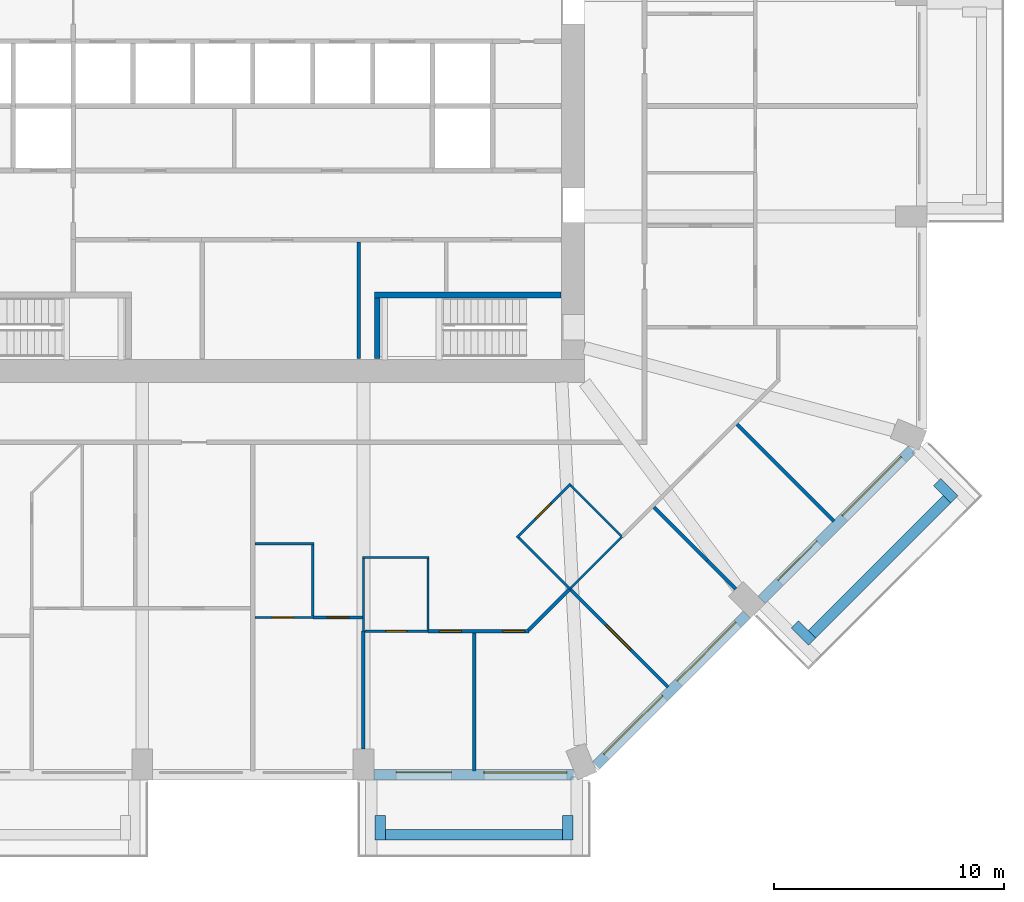
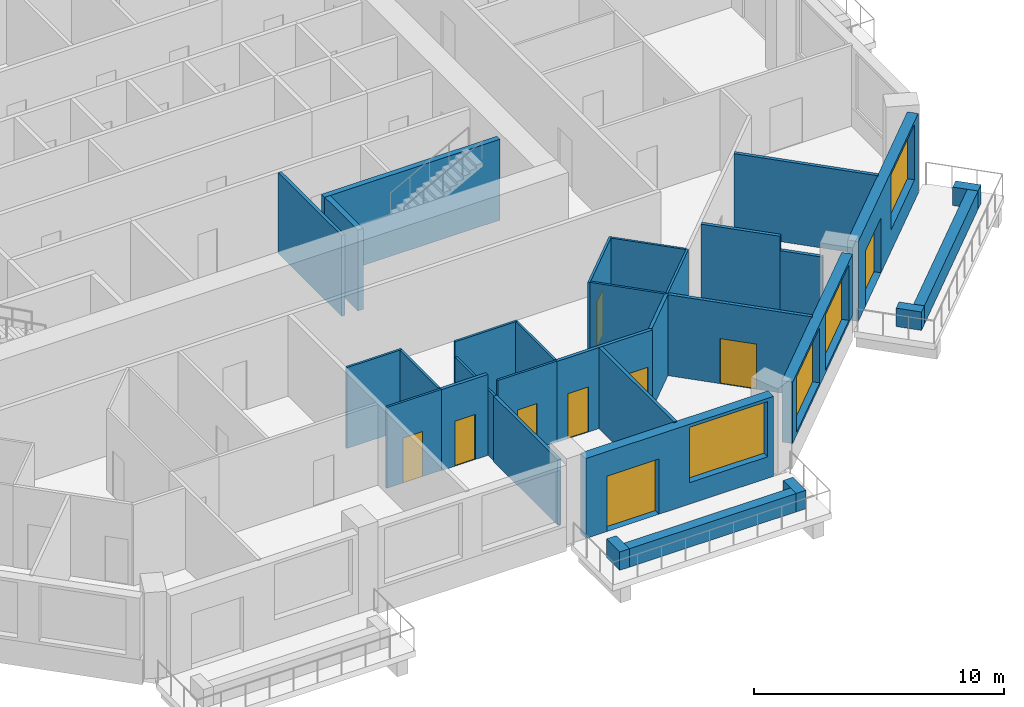
# One storey, part 5 of 13: 32 walls, 9 doors, 4 windows, 13 openings.
"""IFC4 building model written with IfcOpenShell, lengths in metres."""

from ifc_helpers import new_model, si_unit, direction, frame, frame_2d, origin, place, context, subcontext, project, spatial, rectangle, extrude, material, layer, layer_set, type_object, element, fill, save


model = new_model("IFC4")

# Units and contexts
model_context = context("Model", 3, precision=1e-05, world=origin(), true_north=direction((0.0, 1.0)))
body_context = subcontext(model_context, "Body", "Model", "MODEL_VIEW")
ifc_project = project(units=[si_unit("LENGTHUNIT", "METRE"), si_unit("AREAUNIT", "SQUARE_METRE"), si_unit("VOLUMEUNIT", "CUBIC_METRE"), si_unit("PLANEANGLEUNIT", "RADIAN"), si_unit("MASSUNIT", "GRAM", prefix="KILO")], contexts=[model_context])

# Site, building, storey
site_placement = place(None, origin())
site = spatial("IfcSite", under=ifc_project, at=site_placement, CompositionType="ELEMENT")
building_placement = place(site_placement, origin())
building = spatial("IfcBuilding", under=site, at=building_placement, Name="Msitu Wima Residences", CompositionType="ELEMENT")
storey_placement = place(building_placement, frame((0.0, 0.0, 42.300048828125)))
storey = spatial("IfcBuildingStorey", under=building, at=storey_placement, Name="L09", CompositionType="ELEMENT", Elevation=42.300048828125)

# Walls
ifc_material_1 = material(Name="Facing brick")
ifc_layer_1 = layer(ifc_material_1, 0.06494140625, Name="Facing brick")
ifc_material_2 = material(Name="Concrete C40/50", Category="concrete")
ifc_layer_2 = layer(ifc_material_2, 0.156005859375, Name="Concrete C40/50")
ifc_material_3 = material(Name="Waterproofing membrane")
ifc_layer_3 = layer(ifc_material_3, 0.00390625, Name="Waterproofing membrane")
ifc_material_4 = material(Name="Planting soil and planting")
ifc_layer_4 = layer(ifc_material_4, 0.22509765625, Name="Planting soil and planting")
ifc_layer_set_1 = layer_set([ifc_layer_1, ifc_layer_2, ifc_layer_3, ifc_layer_4], Name="Concrete C40/50")
wall_type_1 = type_object("IfcWallType", Name="Balcony planter PLANTER PL450", PredefinedType="USERDEFINED", material=ifc_layer_set_1)
wall_1_placement = place(storey_placement, frame((5.75, -31.625, 0.0), z_axis=(0.0, 0.0, 1.0), x_axis=(1.0, 0.0, 0.0)))
element("IfcWall", 1, at=wall_1_placement, inside=storey, type_object=wall_type_1, Name="Balcony planter S2 L09", ObjectType="PLANTER", PredefinedType="USERDEFINED", context=body_context, shape_type="SweptSolid", body=[
    extrude(rectangle(XDim=7.699951171875, YDim=0.449951171875, at=frame_2d((3.85009765625, 0.0))), origin(), (0.0, 0.0, 1.0), 0.89990234375),
])
for number, where, z_axis, x_axis, name in (
    (2, (5.52490234375, -30.800048828125, 0.0), (0.0, 0.0, 1.0), (0.0, -1.0, 0.0), "Balcony planter S2 L09"),
    (3, (13.675048828125, -30.800048828125, 0.0), (0.0, 0.0, 1.0), (0.0, -1.0, 0.0), "Balcony planter S2 L09"),
):
    element("IfcWall", number, at=place(storey_placement, frame(where, z_axis=z_axis, x_axis=x_axis)), inside=storey, type_object=wall_type_1, Name=name, ObjectType="PLANTER", PredefinedType="USERDEFINED", context=body_context, shape_type="SweptSolid", body=[
        extrude(rectangle(XDim=1.050048828125, YDim=0.449951171875, at=frame_2d((0.52490234375, 0.0))), origin(), (0.0, 0.0, 1.0), 0.89990234375),
    ])
wall_2_placement = place(storey_placement, frame((24.269287109375, -22.92578125, 0.0), z_axis=(0.0, 0.0, 1.0), x_axis=(0.707106781187, 0.707106781187, 0.0)))
element("IfcWall", 4, at=wall_2_placement, inside=storey, type_object=wall_type_1, Name="Balcony planter SE1 L09", ObjectType="PLANTER", PredefinedType="USERDEFINED", context=body_context, shape_type="SweptSolid", body=[
    extrude(rectangle(XDim=8.2822265625, YDim=0.449951171875, at=frame_2d((4.14111328125, 0.0))), origin(), (0.0, 0.0, 1.0), 0.89990234375),
])
for number, where, z_axis, x_axis, name in (
    (5, (23.52685546875, -22.50146484375, 0.0), (0.0, 0.0, 1.0), (0.706990528533, -0.707223014731, 0.0), "Balcony planter SE1 L09"),
    (6, (29.70166015625, -16.326904296875, 0.0), (0.0, 0.0, 1.0), (0.707106781187, -0.707106781187, 0.0), "Balcony planter SE1 L09"),
):
    element("IfcWall", number, at=place(storey_placement, frame(where, z_axis=z_axis, x_axis=x_axis)), inside=storey, type_object=wall_type_1, Name=name, ObjectType="PLANTER", PredefinedType="USERDEFINED", context=body_context, shape_type="SweptSolid", body=[
        extrude(rectangle(XDim=1.050048828125, YDim=0.449951171875, at=frame_2d((0.52490234375, 0.0))), origin(), (0.0, 0.0, 1.0), 0.89990234375),
    ])

# Wall, openings, door, window
ifc_material_5 = material(Name="Brick (red buff mix)", Category="masonry")
ifc_layer_5 = layer(ifc_material_5, 0.449951171875)
ifc_layer_set_2 = layer_set([ifc_layer_5], Name="Brick (red buff mix)")
wall_type_2 = type_object("IfcWallType", Name="Brick infill wall BW450", PredefinedType="SOLIDWALL", material=ifc_layer_set_2)
wall_3_placement = place(storey_placement, frame((5.25, -29.02490234375, 0.0), z_axis=(0.0, 0.0, 1.0), x_axis=(1.0, 0.0, 0.0)))
wall_3 = element("IfcWall", 7, at=wall_3_placement, inside=storey, type_object=wall_type_2, Name="Brick infill wall L09 S2", PredefinedType="SOLIDWALL", context=body_context, shape_type="SweptSolid", body=[
    extrude(rectangle(XDim=8.662841796875, YDim=0.449951171875, at=frame_2d((4.33154296875, 0.0))), origin(), (0.0, 0.0, 1.0), 3.89990234375),
])
opening_1_placement = place(wall_3_placement, frame((0.9658203125, 0.0, 0.0)))
opening_1 = element("IfcOpeningElement", 8, at=opening_1_placement, cuts=wall_3, Name="Opening D08-10.007", PredefinedType="OPENING", context=body_context, shape_type="SweptSolid", body=[
    extrude(rectangle(XDim=2.39990234375, YDim=2.699951171875, at=frame_2d((1.199951171875, 1.35009765625))), frame((0.0, 0.23486328125, 0.0), z_axis=(0.0, -1.0, 0.0), x_axis=(1.0, 0.0, 0.0)), (0.0, 0.0, 1.0), 0.469970703125),
])
opening_2_placement = place(wall_3_placement, frame((4.781494140625, 0.0, 1.050048828125)))
opening_2 = element("IfcOpeningElement", 9, at=opening_2_placement, cuts=wall_3, Name="Opening W08-10.019", PredefinedType="OPENING", context=body_context, shape_type="SweptSolid", body=[
    extrude(rectangle(XDim=3.60009765625, YDim=2.699951171875, at=frame_2d((1.800048828125, 1.35009765625))), frame((0.0, 0.23486328125, 0.0), z_axis=(0.0, -1.0, 0.0), x_axis=(1.0, 0.0, 0.0)), (0.0, 0.0, 1.0), 0.469970703125),
])
ifc_material_6 = material(Name="Anodised aluminium, bronze finish, clear low-emissivity double glazing", Category="aluminium")
door_type_1 = type_object("IfcDoorType", Name="Balcony door D2400x2700", OperationType="SLIDING_TO_LEFT", PredefinedType="DOOR", material=ifc_material_6)
door_1_placement = place(opening_1_placement, origin())
door_1 = element("IfcDoor", 10, at=door_1_placement, inside=storey, type_object=door_type_1, Name="Balcony door L09 S2", OperationType="SINGLE_SWING_LEFT", OverallHeight=2.699951171875, OverallWidth=2.39990234375, PredefinedType="DOOR", context=body_context, shape_type="SweptSolid", body=[
    extrude(rectangle(XDim=2.39990234375, YDim=2.699951171875, at=frame_2d((1.199951171875, 1.35009765625))), frame((0.0, 0.1298828125, 0.0), z_axis=(0.0, -1.0, 0.0), x_axis=(1.0, 0.0, 0.0)), (0.0, 0.0, 1.0), 0.050048828125),
])
fill(opening_1, door_1)
window_type = type_object("IfcWindowType", Name="Window W3600x2700", PartitioningType="DOUBLE_PANEL_VERTICAL", PredefinedType="WINDOW", material=ifc_material_6)
window_1_placement = place(opening_2_placement, origin())
window_1 = element("IfcWindow", 11, at=window_1_placement, inside=storey, type_object=window_type, Name="Window L09 S2.2", OverallHeight=2.699951171875, OverallWidth=3.60009765625, PartitioningType="SINGLE_PANEL", PredefinedType="WINDOW", context=body_context, shape_type="SweptSolid", body=[
    extrude(rectangle(XDim=3.60009765625, YDim=2.699951171875, at=frame_2d((1.800048828125, 1.35009765625))), frame((0.0, 0.135009765625, 0.0), z_axis=(0.0, -1.0, 0.0), x_axis=(1.0, 0.0, 0.0)), (0.0, 0.0, 1.0), 0.06005859375),
])
fill(opening_2, window_1)

# Wall, openings, windows
wall_4_placement = place(storey_placement, frame((14.903564453125, -28.61474609375, 0.89990234375), z_axis=(0.0, 0.0, 1.0), x_axis=(0.707106781187, 0.707106781187, 0.0)))
wall_4 = element("IfcWall", 12, at=wall_4_placement, inside=storey, type_object=wall_type_2, Name="Brick infill wall L09 SE0", PredefinedType="SOLIDWALL", context=body_context, shape_type="SweptSolid", body=[
    extrude(rectangle(XDim=9.2451171875, YDim=0.449951171875, at=frame_2d((4.62255859375, 0.0))), origin(), (0.0, 0.0, 1.0), 3.0),
])
opening_3_placement = place(wall_4_placement, frame((0.572509765625, 0.0, 0.14990234375)))
opening_3 = element("IfcOpeningElement", 13, at=opening_3_placement, cuts=wall_4, Name="Opening W08-10.020", PredefinedType="OPENING", context=body_context, shape_type="SweptSolid", body=[
    extrude(rectangle(XDim=3.60009765625, YDim=2.699951171875, at=frame_2d((1.800048828125, 1.35009765625))), frame((0.0, 0.23486328125, 0.0), z_axis=(0.0, -1.0, 0.0), x_axis=(1.0, 0.0, 0.0)), (0.0, 0.0, 1.0), 0.469970703125),
])
opening_4_placement = place(wall_4_placement, frame((5.072509765625, 0.0, 0.14990234375)))
opening_4 = element("IfcOpeningElement", 14, at=opening_4_placement, cuts=wall_4, Name="Opening W08-10.021", PredefinedType="OPENING", context=body_context, shape_type="SweptSolid", body=[
    extrude(rectangle(XDim=3.60009765625, YDim=2.699951171875, at=frame_2d((1.800048828125, 1.35009765625))), frame((0.0, 0.23486328125, 0.0), z_axis=(0.0, -1.0, 0.0), x_axis=(1.0, 0.0, 0.0)), (0.0, 0.0, 1.0), 0.469970703125),
])
window_2_placement = place(opening_3_placement, origin())
window_2 = element("IfcWindow", 15, at=window_2_placement, inside=storey, type_object=window_type, Name="Window L09 SE0.1", OverallHeight=2.699951171875, OverallWidth=3.60009765625, PartitioningType="SINGLE_PANEL", PredefinedType="WINDOW", context=body_context, shape_type="SweptSolid", body=[
    extrude(rectangle(XDim=3.60009765625, YDim=2.699951171875, at=frame_2d((1.800048828125, 1.35009765625))), frame((0.0, 0.135009765625, 0.0), z_axis=(0.0, -1.0, 0.0), x_axis=(1.0, 0.0, 0.0)), (0.0, 0.0, 1.0), 0.06005859375),
])
fill(opening_3, window_2)
window_3_placement = place(opening_4_placement, origin())
window_3 = element("IfcWindow", 16, at=window_3_placement, inside=storey, type_object=window_type, Name="Window L09 SE0.2", OverallHeight=2.699951171875, OverallWidth=3.60009765625, PartitioningType="SINGLE_PANEL", PredefinedType="WINDOW", context=body_context, shape_type="SweptSolid", body=[
    extrude(rectangle(XDim=3.60009765625, YDim=2.699951171875, at=frame_2d((1.800048828125, 1.35009765625))), frame((0.0, 0.135009765625, 0.0), z_axis=(0.0, -1.0, 0.0), x_axis=(1.0, 0.0, 0.0)), (0.0, 0.0, 1.0), 0.06005859375),
])
fill(opening_4, window_3)

# Wall, openings, door, window
wall_5_placement = place(storey_placement, frame((22.077392578125, -21.44091796875, 0.0), z_axis=(0.0, 0.0, 1.0), x_axis=(0.707106781187, 0.707106781187, 0.0)))
wall_5 = element("IfcWall", 17, at=wall_5_placement, inside=storey, type_object=wall_type_2, Name="Brick infill wall L09 SE1", PredefinedType="SOLIDWALL", context=body_context, shape_type="SweptSolid", body=[
    extrude(rectangle(XDim=9.2451171875, YDim=0.449951171875, at=frame_2d((4.62255859375, 0.0))), origin(), (0.0, 0.0, 1.0), 3.89990234375),
])
opening_5_placement = place(wall_5_placement, frame((1.111328125, 0.0, 0.0)))
opening_5 = element("IfcOpeningElement", 18, at=opening_5_placement, cuts=wall_5, Name="Opening D08-10.008", PredefinedType="OPENING", context=body_context, shape_type="SweptSolid", body=[
    extrude(rectangle(XDim=2.39990234375, YDim=2.699951171875, at=frame_2d((1.199951171875, 1.35009765625))), frame((0.0, 0.23486328125, 0.0), z_axis=(0.0, -1.0, 0.0), x_axis=(1.0, 0.0, 0.0)), (0.0, 0.0, 1.0), 0.469970703125),
])
opening_6_placement = place(wall_5_placement, frame((5.072509765625, 0.0, 1.050048828125)))
opening_6 = element("IfcOpeningElement", 19, at=opening_6_placement, cuts=wall_5, Name="Opening W08-10.022", PredefinedType="OPENING", context=body_context, shape_type="SweptSolid", body=[
    extrude(rectangle(XDim=3.60009765625, YDim=2.699951171875, at=frame_2d((1.800048828125, 1.35009765625))), frame((0.0, 0.23486328125, 0.0), z_axis=(0.0, -1.0, 0.0), x_axis=(1.0, 0.0, 0.0)), (0.0, 0.0, 1.0), 0.469970703125),
])
door_2_placement = place(opening_5_placement, origin())
door_2 = element("IfcDoor", 20, at=door_2_placement, inside=storey, type_object=door_type_1, Name="Balcony door L09 SE1", OperationType="SINGLE_SWING_LEFT", OverallHeight=2.699951171875, OverallWidth=2.39990234375, PredefinedType="DOOR", context=body_context, shape_type="SweptSolid", body=[
    extrude(rectangle(XDim=2.39990234375, YDim=2.699951171875, at=frame_2d((1.199951171875, 1.35009765625))), frame((0.0, 0.1298828125, 0.0), z_axis=(0.0, -1.0, 0.0), x_axis=(1.0, 0.0, 0.0)), (0.0, 0.0, 1.0), 0.050048828125),
])
fill(opening_5, door_2)
window_4_placement = place(opening_6_placement, origin())
window_4 = element("IfcWindow", 21, at=window_4_placement, inside=storey, type_object=window_type, Name="Window L09 SE1.2", OverallHeight=2.699951171875, OverallWidth=3.60009765625, PartitioningType="SINGLE_PANEL", PredefinedType="WINDOW", context=body_context, shape_type="SweptSolid", body=[
    extrude(rectangle(XDim=3.60009765625, YDim=2.699951171875, at=frame_2d((1.800048828125, 1.35009765625))), frame((0.0, 0.135009765625, 0.0), z_axis=(0.0, -1.0, 0.0), x_axis=(1.0, 0.0, 0.0)), (0.0, 0.0, 1.0), 0.06005859375),
])
fill(opening_6, window_4)

# Wall, opening, door
ifc_material_7 = material(Name="Plaster")
ifc_layer_6 = layer(ifc_material_7, 0.011962890625, Name="Plaster")
ifc_material_8 = material(Name="Concrete blockwork", Category="masonry")
ifc_layer_7 = layer(ifc_material_8, 0.1259765625, Name="Concrete blockwork")
ifc_layer_8 = layer(ifc_material_7, 0.011962890625, Name="Plaster")
ifc_layer_set_3 = layer_set([ifc_layer_6, ifc_layer_7, ifc_layer_8], Name="Concrete blockwork")
wall_type_3 = type_object("IfcWallType", Name="Partition PW150", PredefinedType="PARTITIONING", material=ifc_layer_set_3)
wall_6_placement = place(storey_placement, frame((2.6201171875, -22.199951171875, 0.0), z_axis=(0.0, 0.0, 1.0), x_axis=(1.0, 0.0, 0.0)))
wall_6 = element("IfcWall", 22, at=wall_6_placement, inside=storey, type_object=wall_type_3, Name="Partition", PredefinedType="PARTITIONING", context=body_context, shape_type="SweptSolid", body=[
    extrude(rectangle(XDim=2.1298828125, YDim=0.14990234375, at=frame_2d((1.06494140625, 0.0))), origin(), (0.0, 0.0, 1.0), 3.949951171875),
])
opening_7_placement = place(wall_6_placement, frame((0.60009765625, 0.0, 0.0)))
opening_7 = element("IfcOpeningElement", 23, at=opening_7_placement, cuts=wall_6, Name="Opening D08-10.078", PredefinedType="OPENING", context=body_context, shape_type="SweptSolid", body=[
    extrude(rectangle(XDim=0.949951171875, YDim=2.199951171875, at=frame_2d((0.47509765625, 1.10009765625))), frame((0.0, 0.0849609375, 0.0), z_axis=(0.0, -1.0, 0.0), x_axis=(1.0, 0.0, 0.0)), (0.0, 0.0, 1.0), 0.169921875),
])
ifc_material_9 = material(Name="Timber flush door", Category="wood")
door_type_2 = type_object("IfcDoorType", Name="Room door D12 950x2200", OperationType="SINGLE_SWING_LEFT", PredefinedType="DOOR", material=ifc_material_9)
door_3_placement = place(opening_7_placement, origin())
door_3 = element("IfcDoor", 24, at=door_3_placement, inside=storey, type_object=door_type_2, Name="Room door", OperationType="SINGLE_SWING_LEFT", OverallHeight=2.199951171875, OverallWidth=0.949951171875, PredefinedType="DOOR", context=body_context, shape_type="SweptSolid", body=[
    extrude(rectangle(XDim=0.949951171875, YDim=2.199951171875, at=frame_2d((0.47509765625, 1.10009765625))), frame((0.0, 0.02490234375, 0.0), z_axis=(0.0, -1.0, 0.0), x_axis=(1.0, 0.0, 0.0)), (0.0, 0.0, 1.0), 0.050048828125),
])
fill(opening_7, door_3)

# Walls
wall_7_placement = place(storey_placement, frame((4.60009765625, -10.969970703125, 0.0), z_axis=(0.0, 0.0, 1.0), x_axis=(0.0, 1.0, 0.0)))
element("IfcWall", 25, at=wall_7_placement, inside=storey, type_object=wall_type_3, Name="Partition", PredefinedType="PARTITIONING", context=body_context, shape_type="SweptSolid", body=[
    extrude(rectangle(XDim=5.070068359375, YDim=0.14990234375, at=frame_2d((2.53515625, 0.0))), origin(), (0.0, 0.0, 1.0), 3.949951171875),
])
wall_8_placement = place(storey_placement, frame((4.800048828125, -27.89990234375, 0.0), z_axis=(0.0, 0.0, 1.0), x_axis=(0.0, 1.0, 0.0)))
element("IfcWall", 26, at=wall_8_placement, inside=storey, type_object=wall_type_3, Name="Partition", PredefinedType="PARTITIONING", context=body_context, shape_type="SweptSolid", body=[
    extrude(rectangle(XDim=5.119873046875, YDim=0.14990234375, at=frame_2d((2.56005859375, 0.0))), origin(), (0.0, 0.0, 1.0), 3.199951171875),
])

# Wall, openings, doors
wall_9_placement = place(storey_placement, frame((7.60009765625, -22.800048828125, 0.0), z_axis=(0.0, 0.0, 1.0), x_axis=(1.0, 0.0, 0.0)))
wall_9 = element("IfcWall", 27, at=wall_9_placement, inside=storey, type_object=wall_type_3, Name="Partition", PredefinedType="PARTITIONING", context=body_context, shape_type="SweptSolid", body=[
    extrude(rectangle(XDim=4.3896484375, YDim=0.14990234375, at=frame_2d((2.19482421875, 0.0))), origin(), (0.0, 0.0, 1.0), 3.949951171875),
])
opening_8_placement = place(wall_9_placement, frame((0.5, 0.0, 0.0)))
opening_8 = element("IfcOpeningElement", 28, at=opening_8_placement, cuts=wall_9, Name="Opening D08-10.075", PredefinedType="OPENING", context=body_context, shape_type="SweptSolid", body=[
    extrude(rectangle(XDim=0.949951171875, YDim=2.199951171875, at=frame_2d((0.47509765625, 1.10009765625))), frame((0.0, 0.0849609375, 0.0), z_axis=(0.0, -1.0, 0.0), x_axis=(1.0, 0.0, 0.0)), (0.0, 0.0, 1.0), 0.169921875),
])
opening_9_placement = place(wall_9_placement, frame((3.25, 0.0, 0.0)))
opening_9 = element("IfcOpeningElement", 29, at=opening_9_placement, cuts=wall_9, Name="Opening D08-10.081", PredefinedType="OPENING", context=body_context, shape_type="SweptSolid", body=[
    extrude(rectangle(XDim=0.949951171875, YDim=2.199951171875, at=frame_2d((0.47509765625, 1.10009765625))), frame((0.0, 0.0849609375, 0.0), z_axis=(0.0, -1.0, 0.0), x_axis=(1.0, 0.0, 0.0)), (0.0, 0.0, 1.0), 0.169921875),
])
door_4_placement = place(opening_8_placement, origin())
door_4 = element("IfcDoor", 30, at=door_4_placement, inside=storey, type_object=door_type_2, Name="Room door", OperationType="SINGLE_SWING_LEFT", OverallHeight=2.199951171875, OverallWidth=0.949951171875, PredefinedType="DOOR", context=body_context, shape_type="SweptSolid", body=[
    extrude(rectangle(XDim=0.949951171875, YDim=2.199951171875, at=frame_2d((0.47509765625, 1.10009765625))), frame((0.0, 0.02490234375, 0.0), z_axis=(0.0, -1.0, 0.0), x_axis=(1.0, 0.0, 0.0)), (0.0, 0.0, 1.0), 0.050048828125),
])
fill(opening_8, door_4)
door_5_placement = place(opening_9_placement, origin())
door_5 = element("IfcDoor", 31, at=door_5_placement, inside=storey, type_object=door_type_2, Name="Room door", OperationType="SINGLE_SWING_RIGHT", OverallHeight=2.199951171875, OverallWidth=0.949951171875, PredefinedType="DOOR", context=body_context, shape_type="SweptSolid", body=[
    extrude(rectangle(XDim=0.949951171875, YDim=2.199951171875, at=frame_2d((0.47509765625, 1.10009765625))), frame((0.0, 0.02490234375, 0.0), z_axis=(0.0, -1.0, 0.0), x_axis=(1.0, 0.0, 0.0)), (0.0, 0.0, 1.0), 0.050048828125),
])
fill(opening_9, door_5)

# Walls
wall_10_placement = place(storey_placement, frame((9.60009765625, -28.85498046875, 0.0), z_axis=(0.0, 0.0, 1.0), x_axis=(0.0, 1.0, 0.0)))
element("IfcWall", 32, at=wall_10_placement, inside=storey, type_object=wall_type_3, Name="Partition", PredefinedType="PARTITIONING", context=body_context, shape_type="SweptSolid", body=[
    extrude(rectangle(XDim=5.97998046875, YDim=0.14990234375, at=frame_2d((2.989990234375, 0.0))), origin(), (0.0, 0.0, 1.0), 3.949951171875),
])
wall_11_placement = place(storey_placement, frame((11.9677734375, -22.7470703125, 0.0), z_axis=(0.0, 0.0, 1.0), x_axis=(0.707058549081, 0.707155010002, 0.0)))
element("IfcWall", 33, at=wall_11_placement, inside=storey, type_object=wall_type_3, Name="Partition", PredefinedType="PARTITIONING", context=body_context, shape_type="SweptSolid", body=[
    extrude(rectangle(XDim=2.531005859375, YDim=0.14990234375, at=frame_2d((1.265625, 0.0))), origin(), (0.0, 0.0, 1.0), 3.949951171875),
])

# Wall, opening, door
wall_12_placement = place(storey_placement, frame((13.7431640625, -20.943115234375, 0.0), z_axis=(0.0, 0.0, 1.0), x_axis=(0.707086587655, -0.707126974141, 0.0)))
wall_12 = element("IfcWall", 34, at=wall_12_placement, inside=storey, type_object=wall_type_3, Name="Partition", PredefinedType="PARTITIONING", context=body_context, shape_type="SweptSolid", body=[
    extrude(rectangle(XDim=6.045166015625, YDim=0.14990234375, at=frame_2d((3.0224609375, 0.0))), origin(), (0.0, 0.0, 1.0), 3.949951171875),
])
opening_10_placement = place(wall_12_placement, frame((2.25, 0.0, 0.0)))
opening_10 = element("IfcOpeningElement", 35, at=opening_10_placement, cuts=wall_12, Name="Opening D08-10.082", PredefinedType="OPENING", context=body_context, shape_type="SweptSolid", body=[
    extrude(rectangle(XDim=1.5, YDim=2.199951171875, at=frame_2d((0.75, 1.10009765625))), frame((0.0, 0.0849609375, 0.0), z_axis=(0.0, -1.0, 0.0), x_axis=(1.0, 0.0, 0.0)), (0.0, 0.0, 1.0), 0.169921875),
])
ifc_material_10 = material(Name="Timber double door", Category="wood")
door_type_3 = type_object("IfcDoorType", Name="Double door D04 1500x2200", OperationType="DOUBLE_DOOR_SINGLE_SWING", PredefinedType="DOOR", material=ifc_material_10)
door_6_placement = place(opening_10_placement, origin())
door_6 = element("IfcDoor", 36, at=door_6_placement, inside=storey, type_object=door_type_3, Name="Double door", OperationType="DOUBLE_DOOR_SINGLE_SWING", OverallHeight=2.199951171875, OverallWidth=1.5, PredefinedType="DOOR", context=body_context, shape_type="SweptSolid", body=[
    extrude(rectangle(XDim=1.5, YDim=2.199951171875, at=frame_2d((0.75, 1.10009765625))), frame((0.0, 0.02490234375, 0.0), z_axis=(0.0, -1.0, 0.0), x_axis=(1.0, 0.0, 0.0)), (0.0, 0.0, 1.0), 0.050048828125),
])
fill(opening_10, door_6)

# Walls
wall_13_placement = place(storey_placement, frame((17.410400390625, -17.410400390625, 0.0), z_axis=(0.0, 0.0, 1.0), x_axis=(0.707106781187, -0.707106781187, 0.0)))
element("IfcWall", 37, at=wall_13_placement, inside=storey, type_object=wall_type_3, Name="Partition", PredefinedType="PARTITIONING", context=body_context, shape_type="SweptSolid", body=[
    extrude(rectangle(XDim=3.276611328125, YDim=0.14990234375, at=frame_2d((1.63818359375, 0.0))), origin(), (0.0, 0.0, 1.0), 3.949951171875),
])
wall_14_placement = place(storey_placement, frame((19.727294921875, -19.727294921875, 0.0), z_axis=(0.0, 0.0, 1.0), x_axis=(0.707106781187, -0.707106781187, 0.0)))
element("IfcWall", 38, at=wall_14_placement, inside=storey, type_object=wall_type_3, Name="Partition", PredefinedType="PARTITIONING", context=body_context, shape_type="SweptSolid", body=[
    extrude(rectangle(XDim=1.74853515625, YDim=0.14990234375, at=frame_2d((0.874267578125, 0.0))), origin(), (0.0, 0.0, 1.0), 3.25),
])
wall_15_placement = place(storey_placement, frame((21.010498046875, -13.810302734375, 0.0), z_axis=(0.0, 0.0, 1.0), x_axis=(0.707106781187, -0.707106781187, 0.0)))
element("IfcWall", 39, at=wall_15_placement, inside=storey, type_object=wall_type_3, Name="Partition", PredefinedType="PARTITIONING", context=body_context, shape_type="SweptSolid", body=[
    extrude(rectangle(XDim=5.949951171875, YDim=0.14990234375, at=frame_2d((2.97509765625, 0.0))), origin(), (0.0, 0.0, 1.0), 3.949951171875),
])
ifc_material_11 = material(Name="Concrete C50/60", Category="concrete")
ifc_layer_9 = layer(ifc_material_11, 0.25)
ifc_layer_set_4 = layer_set([ifc_layer_9], Name="Concrete C50/60")
wall_type_4 = type_object("IfcWallType", Name="Stair enclosure wall SW250", PredefinedType="SHEAR", material=ifc_layer_set_4)
wall_16_placement = place(storey_placement, frame((5.39990234375, -10.969970703125, 0.0), z_axis=(0.0, 0.0, 1.0), x_axis=(0.0, 1.0, 0.0)))
element("IfcWall", 40, at=wall_16_placement, inside=storey, type_object=wall_type_4, Name="Stair enclosure wall", PredefinedType="SHEAR", context=body_context, shape_type="SweptSolid", body=[
    extrude(rectangle(XDim=2.64501953125, YDim=0.25, at=frame_2d((1.322509765625, 0.0))), origin(), (0.0, 0.0, 1.0), 3.949951171875),
])
wall_17_placement = place(storey_placement, frame((5.27490234375, -8.199951171875, 0.0), z_axis=(0.0, 0.0, 1.0), x_axis=(1.0, 0.0, 0.0)))
element("IfcWall", 41, at=wall_17_placement, inside=storey, type_object=wall_type_4, Name="Stair enclosure wall", PredefinedType="SHEAR", context=body_context, shape_type="SweptSolid", body=[
    extrude(rectangle(XDim=8.09521484375, YDim=0.25, at=frame_2d((4.047607421875, 0.0))), origin(), (0.0, 0.0, 1.0), 3.949951171875),
])

# Wall, opening, door
ifc_material_12 = material(Name="Ceramic tiles")
ifc_layer_10 = layer(ifc_material_12, 0.008056640625, Name="Ceramic tiles")
ifc_material_13 = material(Name="Moisture-resistant board")
ifc_layer_11 = layer(ifc_material_13, 0.012451171875, Name="Moisture-resistant board")
ifc_material_14 = material(Name="Light-gauge stud framing with mineral wool")
ifc_layer_12 = layer(ifc_material_14, 0.06689453125, Name="Light-gauge stud framing with mineral wool")
ifc_layer_13 = layer(ifc_material_13, 0.012451171875, Name="Moisture-resistant board")
ifc_layer_set_5 = layer_set([ifc_layer_10, ifc_layer_11, ifc_layer_12, ifc_layer_13], Name="Light-gauge stud framing with mineral wool")
wall_type_5 = type_object("IfcWallType", Name="Wet wall PW100", PredefinedType="PARTITIONING", material=ifc_layer_set_5)
wall_18_placement = place(storey_placement, frame((0.10009765625, -22.199951171875, 0.0), z_axis=(0.0, 0.0, 1.0), x_axis=(1.0, 0.0, 0.0)))
wall_18 = element("IfcWall", 42, at=wall_18_placement, inside=storey, type_object=wall_type_5, Name="Wet wall", PredefinedType="PARTITIONING", context=body_context, shape_type="SweptSolid", body=[
    extrude(rectangle(XDim=2.52001953125, YDim=0.10009765625, at=frame_2d((1.260009765625, 0.0))), origin(), (0.0, 0.0, 1.0), 3.949951171875),
])
opening_11_placement = place(wall_18_placement, frame((0.75, 0.0, 0.0)))
opening_11 = element("IfcOpeningElement", 43, at=opening_11_placement, cuts=wall_18, Name="Opening D08-10.079", PredefinedType="OPENING", context=body_context, shape_type="SweptSolid", body=[
    extrude(rectangle(XDim=0.89990234375, YDim=2.199951171875, at=frame_2d((0.449951171875, 1.10009765625))), frame((0.0, 0.06005859375, 0.0), z_axis=(0.0, -1.0, 0.0), x_axis=(1.0, 0.0, 0.0)), (0.0, 0.0, 1.0), 0.1201171875),
])
ifc_material_15 = material(Name="Timber flush door, moisture resistant", Category="wood")
door_type_4 = type_object("IfcDoorType", Name="Bathroom door D03 900x2200", OperationType="SINGLE_SWING_LEFT", PredefinedType="DOOR", material=ifc_material_15)
door_7_placement = place(opening_11_placement, origin())
door_7 = element("IfcDoor", 44, at=door_7_placement, inside=storey, type_object=door_type_4, Name="Bathroom door", OperationType="SINGLE_SWING_LEFT", OverallHeight=2.199951171875, OverallWidth=0.89990234375, PredefinedType="DOOR", context=body_context, shape_type="SweptSolid", body=[
    extrude(rectangle(XDim=0.89990234375, YDim=2.199951171875, at=frame_2d((0.449951171875, 1.10009765625))), frame((0.0, 0.02490234375, 0.0), z_axis=(0.0, -1.0, 0.0), x_axis=(1.0, 0.0, 0.0)), (0.0, 0.0, 1.0), 0.050048828125),
])
fill(opening_11, door_7)

# Walls
wall_19_placement = place(storey_placement, frame((0.10009765625, -19.0, 0.0), z_axis=(0.0, 0.0, 1.0), x_axis=(1.0, 0.0, 0.0)))
element("IfcWall", 45, at=wall_19_placement, inside=storey, type_object=wall_type_5, Name="Wet wall", PredefinedType="PARTITIONING", context=body_context, shape_type="SweptSolid", body=[
    extrude(rectangle(XDim=2.5498046875, YDim=0.10009765625, at=frame_2d((1.27490234375, 0.0))), origin(), (0.0, 0.0, 1.0), 3.949951171875),
])
wall_20_placement = place(storey_placement, frame((2.60009765625, -22.125, 0.0), z_axis=(0.0, 0.0, 1.0), x_axis=(0.0, 1.0, 0.0)))
element("IfcWall", 46, at=wall_20_placement, inside=storey, type_object=wall_type_5, Name="Wet wall", PredefinedType="PARTITIONING", context=body_context, shape_type="SweptSolid", body=[
    extrude(rectangle(XDim=3.074951171875, YDim=0.10009765625, at=frame_2d((1.53759765625, 0.0))), origin(), (0.0, 0.0, 1.0), 3.949951171875),
])
wall_21_placement = place(storey_placement, frame((4.800048828125, -22.780029296875, 0.0), z_axis=(0.0, 0.0, 1.0), x_axis=(0.0, 1.0, 0.0)))
element("IfcWall", 47, at=wall_21_placement, inside=storey, type_object=wall_type_5, Name="Wet wall", PredefinedType="PARTITIONING", context=body_context, shape_type="SweptSolid", body=[
    extrude(rectangle(XDim=3.130126953125, YDim=0.10009765625, at=frame_2d((1.56494140625, 0.0))), origin(), (0.0, 0.0, 1.0), 3.199951171875),
])

# Wall, opening, door
wall_22_placement = place(storey_placement, frame((4.875, -22.800048828125, 0.0), z_axis=(0.0, 0.0, 1.0), x_axis=(1.0, 0.0, 0.0)))
wall_22 = element("IfcWall", 48, at=wall_22_placement, inside=storey, type_object=wall_type_5, Name="Wet wall", PredefinedType="PARTITIONING", context=body_context, shape_type="SweptSolid", body=[
    extrude(rectangle(XDim=2.72509765625, YDim=0.10009765625, at=frame_2d((1.362548828125, 0.0))), origin(), (0.0, 0.0, 1.0), 3.949951171875),
])
opening_12_placement = place(wall_22_placement, frame((0.89990234375, 0.0, 0.0)))
opening_12 = element("IfcOpeningElement", 49, at=opening_12_placement, cuts=wall_22, Name="Opening D08-10.076", PredefinedType="OPENING", context=body_context, shape_type="SweptSolid", body=[
    extrude(rectangle(XDim=0.89990234375, YDim=2.199951171875, at=frame_2d((0.449951171875, 1.10009765625))), frame((0.0, 0.06005859375, 0.0), z_axis=(0.0, -1.0, 0.0), x_axis=(1.0, 0.0, 0.0)), (0.0, 0.0, 1.0), 0.1201171875),
])
door_8_placement = place(opening_12_placement, origin())
door_8 = element("IfcDoor", 50, at=door_8_placement, inside=storey, type_object=door_type_4, Name="Bathroom door", OperationType="SINGLE_SWING_RIGHT", OverallHeight=2.199951171875, OverallWidth=0.89990234375, PredefinedType="DOOR", context=body_context, shape_type="SweptSolid", body=[
    extrude(rectangle(XDim=0.89990234375, YDim=2.199951171875, at=frame_2d((0.449951171875, 1.10009765625))), frame((0.0, 0.02490234375, 0.0), z_axis=(0.0, -1.0, 0.0), x_axis=(1.0, 0.0, 0.0)), (0.0, 0.0, 1.0), 0.050048828125),
])
fill(opening_12, door_8)

# Walls
wall_23_placement = place(storey_placement, frame((4.75, -19.60009765625, 0.0), z_axis=(0.0, 0.0, 1.0), x_axis=(1.0, 0.0, 0.0)))
element("IfcWall", 51, at=wall_23_placement, inside=storey, type_object=wall_type_5, Name="Wet wall", PredefinedType="PARTITIONING", context=body_context, shape_type="SweptSolid", body=[
    extrude(rectangle(XDim=2.89990234375, YDim=0.10009765625, at=frame_2d((1.449951171875, 0.0))), origin(), (0.0, 0.0, 1.0), 3.949951171875),
])
wall_24_placement = place(storey_placement, frame((7.60009765625, -22.72509765625, 0.0), z_axis=(0.0, 0.0, 1.0), x_axis=(0.0, 1.0, 0.0)))
element("IfcWall", 52, at=wall_24_placement, inside=storey, type_object=wall_type_5, Name="Wet wall", PredefinedType="PARTITIONING", context=body_context, shape_type="SweptSolid", body=[
    extrude(rectangle(XDim=3.0751953125, YDim=0.10009765625, at=frame_2d((1.53759765625, 0.0))), origin(), (0.0, 0.0, 1.0), 3.949951171875),
])

# Wall, opening, door
wall_25_placement = place(storey_placement, frame((11.459228515625, -18.72998046875, 0.0), z_axis=(0.0, 0.0, 1.0), x_axis=(0.707106781187, 0.707106781187, 0.0)))
wall_25 = element("IfcWall", 53, at=wall_25_placement, inside=storey, type_object=wall_type_5, Name="Wet wall", PredefinedType="PARTITIONING", context=body_context, shape_type="SweptSolid", body=[
    extrude(rectangle(XDim=3.300048828125, YDim=0.10009765625, at=frame_2d((1.64990234375, 0.0))), origin(), (0.0, 0.0, 1.0), 3.949951171875),
])
opening_13_placement = place(wall_25_placement, frame((1.14990234375, 0.0, 0.0)))
opening_13 = element("IfcOpeningElement", 54, at=opening_13_placement, cuts=wall_25, Name="Opening D08-10.083", PredefinedType="OPENING", context=body_context, shape_type="SweptSolid", body=[
    extrude(rectangle(XDim=0.949951171875, YDim=2.199951171875, at=frame_2d((0.47509765625, 1.10009765625))), frame((0.0, 0.06005859375, 0.0), z_axis=(0.0, -1.0, 0.0), x_axis=(1.0, 0.0, 0.0)), (0.0, 0.0, 1.0), 0.1201171875),
])
door_9_placement = place(opening_13_placement, origin())
door_9 = element("IfcDoor", 55, at=door_9_placement, inside=storey, type_object=door_type_2, Name="Room door", OperationType="SINGLE_SWING_RIGHT", OverallHeight=2.199951171875, OverallWidth=0.949951171875, PredefinedType="DOOR", context=body_context, shape_type="SweptSolid", body=[
    extrude(rectangle(XDim=0.949951171875, YDim=2.199951171875, at=frame_2d((0.47509765625, 1.10009765625))), frame((0.0, 0.02490234375, 0.0), z_axis=(0.0, -1.0, 0.0), x_axis=(1.0, 0.0, 0.0)), (0.0, 0.0, 1.0), 0.050048828125),
])
fill(opening_13, door_9)

# Walls
wall_26_placement = place(storey_placement, frame((11.530029296875, -18.72998046875, 0.0), z_axis=(0.0, 0.0, 1.0), x_axis=(0.707106781187, -0.707106781187, 0.0)))
element("IfcWall", 56, at=wall_26_placement, inside=storey, type_object=wall_type_5, Name="Wet wall", PredefinedType="PARTITIONING", context=body_context, shape_type="SweptSolid", body=[
    extrude(rectangle(XDim=3.1298828125, YDim=0.10009765625, at=frame_2d((1.56494140625, 0.0))), origin(), (0.0, 0.0, 1.0), 3.949951171875),
])
wall_27_placement = place(storey_placement, frame((13.75732421875, -20.957275390625, 0.0), z_axis=(0.0, 0.0, 1.0), x_axis=(0.707106781187, 0.707106781187, 0.0)))
element("IfcWall", 57, at=wall_27_placement, inside=storey, type_object=wall_type_5, Name="Wet wall", PredefinedType="PARTITIONING", context=body_context, shape_type="SweptSolid", body=[
    extrude(rectangle(XDim=3.199951171875, YDim=0.10009765625, at=frame_2d((1.60009765625, 0.0))), origin(), (0.0, 0.0, 1.0), 3.949951171875),
])
wall_28_placement = place(storey_placement, frame((13.792724609375, -16.46728515625, 0.0), z_axis=(0.0, 0.0, 1.0), x_axis=(0.707146157869, -0.707067402311, 0.0)))
element("IfcWall", 58, at=wall_28_placement, inside=storey, type_object=wall_type_5, Name="Wet wall", PredefinedType="PARTITIONING", context=body_context, shape_type="SweptSolid", body=[
    extrude(rectangle(XDim=3.10009765625, YDim=0.10009765625, at=frame_2d((1.550048828125, 0.0))), origin(), (0.0, 0.0, 1.0), 3.949951171875),
])

save(model, "model.ifc")
